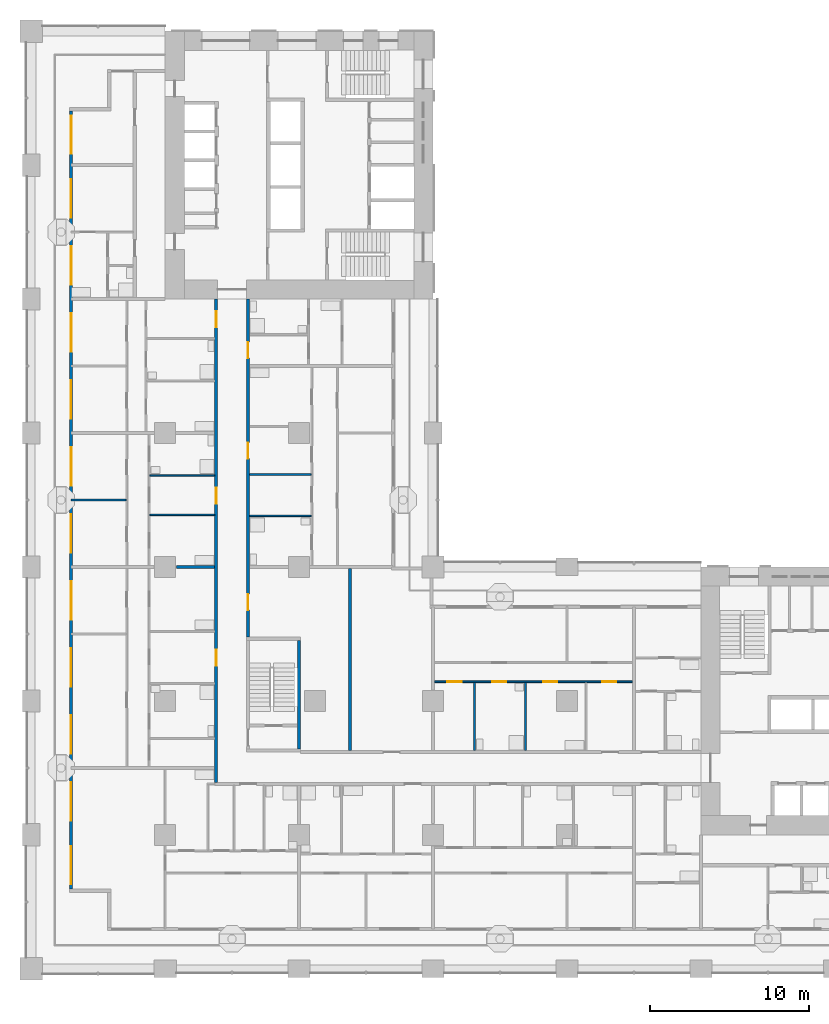
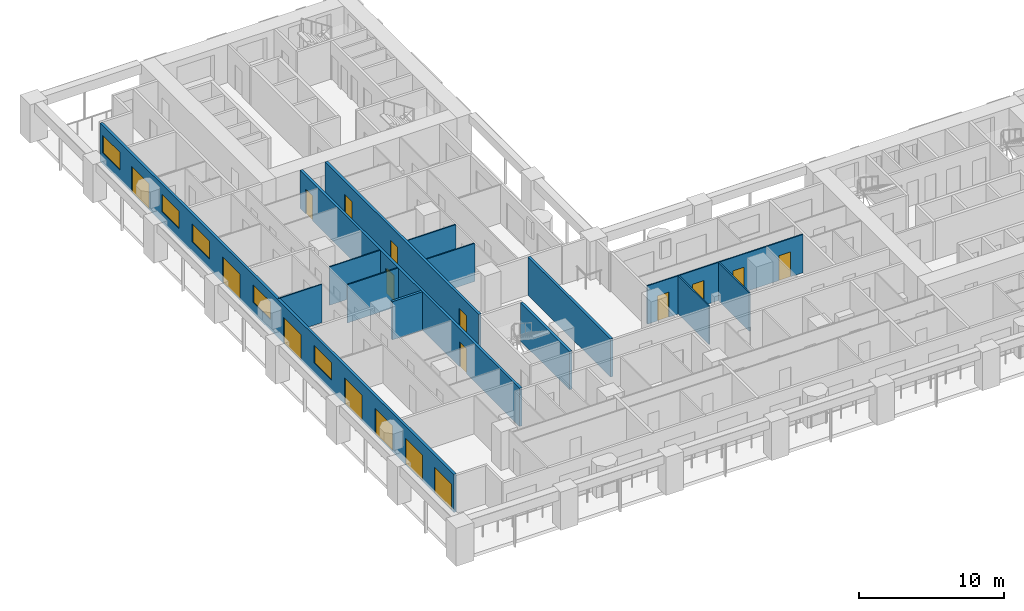
# One storey, part 4 of 22: 17 doors, 14 walls, 5 windows, 22 openings.
"""IFC4 building model written with IfcOpenShell, lengths in metres."""

from ifc_helpers import new_model, si_unit, direction, frame, frame_2d, origin, place, context, subcontext, project, spatial, rectangle, extrude, material, layer, layer_set, type_object, element, fill, save


model = new_model("IFC4")

# Units and contexts
model_context = context("Model", 3, precision=1e-05, world=origin(), true_north=direction((0.0, 1.0)))
body_context = subcontext(model_context, "Body", "Model", "MODEL_VIEW")
ifc_project = project(units=[si_unit("LENGTHUNIT", "METRE"), si_unit("AREAUNIT", "SQUARE_METRE"), si_unit("VOLUMEUNIT", "CUBIC_METRE"), si_unit("PLANEANGLEUNIT", "RADIAN"), si_unit("MASSUNIT", "GRAM", prefix="KILO")], contexts=[model_context])

# Site, building, storey
site_placement = place(None, origin())
site = spatial("IfcSite", under=ifc_project, at=site_placement, CompositionType="ELEMENT")
building_placement = place(site_placement, origin())
building = spatial("IfcBuilding", under=site, at=building_placement, Name="Vermilion Gate Residences", CompositionType="ELEMENT")
storey_placement = place(building_placement, frame((0.0, 0.0, 63.699951171875)))
storey = spatial("IfcBuildingStorey", under=building, at=storey_placement, Name="L15", CompositionType="ELEMENT", Elevation=63.699951171875)

# Wall, openings, doors, windows
ifc_material_1 = material(Name="Insulated steel stud wall with terracotta rainscreen", Category="masonry")
ifc_layer_1 = layer(ifc_material_1, 0.199951171875)
ifc_layer_set_1 = layer_set([ifc_layer_1], Name="EXTERNAL WALL 200 TERRACOTTA RAINSCREEN")
wall_type_1 = type_object("IfcWallType", Name="EXTERNAL WALL 200 TERRACOTTA RAINSCREEN", PredefinedType="SOLIDWALL", material=ifc_layer_set_1)
wall_1_placement = place(storey_placement, frame((2.5, 53.800048828125, 0.0), z_axis=(0.0, 0.0, 1.0), x_axis=(0.0, -1.0, 0.0)))
wall_1 = element("IfcWall", 1, at=wall_1_placement, inside=storey, type_object=wall_type_1, Name="External wall", PredefinedType="SOLIDWALL", context=body_context, shape_type="SweptSolid", body=[
    extrude(rectangle(XDim=48.800048828125, YDim=0.199951171875, at=frame_2d((24.39990234375, 0.0))), origin(), (0.0, 0.0, 1.0), 3.219970703125),
])
opening_1_placement = place(wall_1_placement, frame((46.10009765625, 0.0, 0.0)))
opening_1 = element("IfcOpeningElement", 2, at=opening_1_placement, cuts=wall_1, Name="Opening DE15002", PredefinedType="OPENING", context=body_context, shape_type="SweptSolid", body=[
    extrude(rectangle(XDim=2.39990234375, YDim=2.199951171875, at=frame_2d((1.199951171875, 1.10009765625))), frame((0.0, 0.10986328125, 0.0), z_axis=(0.0, -1.0, 0.0), x_axis=(1.0, 0.0, 0.0)), (0.0, 0.0, 1.0), 0.219970703125),
])
opening_2_placement = place(wall_1_placement, frame((42.10009765625, 0.0, 0.0)))
opening_2 = element("IfcOpeningElement", 3, at=opening_2_placement, cuts=wall_1, Name="Opening DE15003", PredefinedType="OPENING", context=body_context, shape_type="SweptSolid", body=[
    extrude(rectangle(XDim=2.39990234375, YDim=2.199951171875, at=frame_2d((1.199951171875, 1.10009765625))), frame((0.0, 0.10986328125, 0.0), z_axis=(0.0, -1.0, 0.0), x_axis=(1.0, 0.0, 0.0)), (0.0, 0.0, 1.0), 0.219970703125),
])
opening_3_placement = place(wall_1_placement, frame((37.89990234375, 0.0, 0.0)))
opening_3 = element("IfcOpeningElement", 4, at=opening_3_placement, cuts=wall_1, Name="Opening DE15004", PredefinedType="OPENING", context=body_context, shape_type="SweptSolid", body=[
    extrude(rectangle(XDim=2.39990234375, YDim=2.199951171875, at=frame_2d((1.199951171875, 1.10009765625))), frame((0.0, 0.10986328125, 0.0), z_axis=(0.0, -1.0, 0.0), x_axis=(1.0, 0.0, 0.0)), (0.0, 0.0, 1.0), 0.219970703125),
])
opening_4_placement = place(wall_1_placement, frame((33.699951171875, 0.0, 0.0)))
opening_4 = element("IfcOpeningElement", 5, at=opening_4_placement, cuts=wall_1, Name="Opening DE15005", PredefinedType="OPENING", context=body_context, shape_type="SweptSolid", body=[
    extrude(rectangle(XDim=2.39990234375, YDim=2.199951171875, at=frame_2d((1.199951171875, 1.10009765625))), frame((0.0, 0.10986328125, 0.0), z_axis=(0.0, -1.0, 0.0), x_axis=(1.0, 0.0, 0.0)), (0.0, 0.0, 1.0), 0.219970703125),
])
opening_5_placement = place(wall_1_placement, frame((29.5, 0.0, 0.89990234375)))
opening_5 = element("IfcOpeningElement", 6, at=opening_5_placement, cuts=wall_1, Name="Opening WE15006", PredefinedType="OPENING", context=body_context, shape_type="SweptSolid", body=[
    extrude(rectangle(XDim=2.39990234375, YDim=1.5, at=frame_2d((1.199951171875, 0.75))), frame((0.0, 0.10986328125, 0.0), z_axis=(0.0, -1.0, 0.0), x_axis=(1.0, 0.0, 0.0)), (0.0, 0.0, 1.0), 0.219970703125),
])
opening_6_placement = place(wall_1_placement, frame((25.300048828125, 0.0, 0.0)))
opening_6 = element("IfcOpeningElement", 7, at=opening_6_placement, cuts=wall_1, Name="Opening DE15007", PredefinedType="OPENING", context=body_context, shape_type="SweptSolid", body=[
    extrude(rectangle(XDim=2.39990234375, YDim=2.199951171875, at=frame_2d((1.199951171875, 1.10009765625))), frame((0.0, 0.10986328125, 0.0), z_axis=(0.0, -1.0, 0.0), x_axis=(1.0, 0.0, 0.0)), (0.0, 0.0, 1.0), 0.219970703125),
])
opening_7_placement = place(wall_1_placement, frame((21.10009765625, 0.0, 0.89990234375)))
opening_7 = element("IfcOpeningElement", 8, at=opening_7_placement, cuts=wall_1, Name="Opening WE15008", PredefinedType="OPENING", context=body_context, shape_type="SweptSolid", body=[
    extrude(rectangle(XDim=2.39990234375, YDim=1.5, at=frame_2d((1.199951171875, 0.75))), frame((0.0, 0.10986328125, 0.0), z_axis=(0.0, -1.0, 0.0), x_axis=(1.0, 0.0, 0.0)), (0.0, 0.0, 1.0), 0.219970703125),
])
opening_8_placement = place(wall_1_placement, frame((16.89990234375, 0.0, 0.0)))
opening_8 = element("IfcOpeningElement", 9, at=opening_8_placement, cuts=wall_1, Name="Opening DE15009", PredefinedType="OPENING", context=body_context, shape_type="SweptSolid", body=[
    extrude(rectangle(XDim=2.39990234375, YDim=2.199951171875, at=frame_2d((1.199951171875, 1.10009765625))), frame((0.0, 0.10986328125, 0.0), z_axis=(0.0, -1.0, 0.0), x_axis=(1.0, 0.0, 0.0)), (0.0, 0.0, 1.0), 0.219970703125),
])
opening_9_placement = place(wall_1_placement, frame((12.699951171875, 0.0, 0.89990234375)))
opening_9 = element("IfcOpeningElement", 10, at=opening_9_placement, cuts=wall_1, Name="Opening WE15010", PredefinedType="OPENING", context=body_context, shape_type="SweptSolid", body=[
    extrude(rectangle(XDim=2.39990234375, YDim=1.5, at=frame_2d((1.199951171875, 0.75))), frame((0.0, 0.10986328125, 0.0), z_axis=(0.0, -1.0, 0.0), x_axis=(1.0, 0.0, 0.0)), (0.0, 0.0, 1.0), 0.219970703125),
])
opening_10_placement = place(wall_1_placement, frame((8.5, 0.0, 0.89990234375)))
opening_10 = element("IfcOpeningElement", 11, at=opening_10_placement, cuts=wall_1, Name="Opening WE15011", PredefinedType="OPENING", context=body_context, shape_type="SweptSolid", body=[
    extrude(rectangle(XDim=2.39990234375, YDim=1.5, at=frame_2d((1.199951171875, 0.75))), frame((0.0, 0.10986328125, 0.0), z_axis=(0.0, -1.0, 0.0), x_axis=(1.0, 0.0, 0.0)), (0.0, 0.0, 1.0), 0.219970703125),
])
opening_11_placement = place(wall_1_placement, frame((4.300048828125, 0.0, 0.0)))
opening_11 = element("IfcOpeningElement", 12, at=opening_11_placement, cuts=wall_1, Name="Opening DE15012", PredefinedType="OPENING", context=body_context, shape_type="SweptSolid", body=[
    extrude(rectangle(XDim=2.39990234375, YDim=2.199951171875, at=frame_2d((1.199951171875, 1.10009765625))), frame((0.0, 0.10986328125, 0.0), z_axis=(0.0, -1.0, 0.0), x_axis=(1.0, 0.0, 0.0)), (0.0, 0.0, 1.0), 0.219970703125),
])
opening_12_placement = place(wall_1_placement, frame((0.300048828125, 0.0, 0.89990234375)))
opening_12 = element("IfcOpeningElement", 13, at=opening_12_placement, cuts=wall_1, Name="Opening WE15013", PredefinedType="OPENING", context=body_context, shape_type="SweptSolid", body=[
    extrude(rectangle(XDim=2.39990234375, YDim=1.5, at=frame_2d((1.199951171875, 0.75))), frame((0.0, 0.10986328125, 0.0), z_axis=(0.0, -1.0, 0.0), x_axis=(1.0, 0.0, 0.0)), (0.0, 0.0, 1.0), 0.219970703125),
])
ifc_material_2 = material(Name="Aluminium and clear glass", Category="aluminium")
door_type_1 = type_object("IfcDoorType", Name="SLIDING GLAZED DOOR 2400 X 2200", OperationType="DOUBLE_DOOR_SLIDING", PredefinedType="DOOR", material=ifc_material_2)
door_1_placement = place(opening_1_placement, origin())
door_1 = element("IfcDoor", 14, at=door_1_placement, inside=storey, type_object=door_type_1, Name="Loggia sliding door", OperationType="DOUBLE_DOOR_SLIDING", OverallHeight=2.199951171875, OverallWidth=2.39990234375, PredefinedType="DOOR", context=body_context, shape_type="SweptSolid", body=[
    extrude(rectangle(XDim=2.39990234375, YDim=2.199951171875, at=frame_2d((1.199951171875, 1.10009765625))), frame((0.0, 0.02490234375, 0.0), z_axis=(0.0, -1.0, 0.0), x_axis=(1.0, 0.0, 0.0)), (0.0, 0.0, 1.0), 0.050048828125),
])
fill(opening_1, door_1)
door_2_placement = place(opening_2_placement, origin())
door_2 = element("IfcDoor", 15, at=door_2_placement, inside=storey, type_object=door_type_1, Name="Loggia sliding door", OperationType="DOUBLE_DOOR_SLIDING", OverallHeight=2.199951171875, OverallWidth=2.39990234375, PredefinedType="DOOR", context=body_context, shape_type="SweptSolid", body=[
    extrude(rectangle(XDim=2.39990234375, YDim=2.199951171875, at=frame_2d((1.199951171875, 1.10009765625))), frame((0.0, 0.02490234375, 0.0), z_axis=(0.0, -1.0, 0.0), x_axis=(1.0, 0.0, 0.0)), (0.0, 0.0, 1.0), 0.050048828125),
])
fill(opening_2, door_2)
door_3_placement = place(opening_3_placement, origin())
door_3 = element("IfcDoor", 16, at=door_3_placement, inside=storey, type_object=door_type_1, Name="Loggia sliding door", OperationType="DOUBLE_DOOR_SLIDING", OverallHeight=2.199951171875, OverallWidth=2.39990234375, PredefinedType="DOOR", context=body_context, shape_type="SweptSolid", body=[
    extrude(rectangle(XDim=2.39990234375, YDim=2.199951171875, at=frame_2d((1.199951171875, 1.10009765625))), frame((0.0, 0.02490234375, 0.0), z_axis=(0.0, -1.0, 0.0), x_axis=(1.0, 0.0, 0.0)), (0.0, 0.0, 1.0), 0.050048828125),
])
fill(opening_3, door_3)
door_4_placement = place(opening_4_placement, origin())
door_4 = element("IfcDoor", 17, at=door_4_placement, inside=storey, type_object=door_type_1, Name="Loggia sliding door", OperationType="DOUBLE_DOOR_SLIDING", OverallHeight=2.199951171875, OverallWidth=2.39990234375, PredefinedType="DOOR", context=body_context, shape_type="SweptSolid", body=[
    extrude(rectangle(XDim=2.39990234375, YDim=2.199951171875, at=frame_2d((1.199951171875, 1.10009765625))), frame((0.0, 0.02490234375, 0.0), z_axis=(0.0, -1.0, 0.0), x_axis=(1.0, 0.0, 0.0)), (0.0, 0.0, 1.0), 0.050048828125),
])
fill(opening_4, door_4)
door_5_placement = place(opening_6_placement, origin())
door_5 = element("IfcDoor", 18, at=door_5_placement, inside=storey, type_object=door_type_1, Name="Loggia sliding door", OperationType="DOUBLE_DOOR_SLIDING", OverallHeight=2.199951171875, OverallWidth=2.39990234375, PredefinedType="DOOR", context=body_context, shape_type="SweptSolid", body=[
    extrude(rectangle(XDim=2.39990234375, YDim=2.199951171875, at=frame_2d((1.199951171875, 1.10009765625))), frame((0.0, 0.02490234375, 0.0), z_axis=(0.0, -1.0, 0.0), x_axis=(1.0, 0.0, 0.0)), (0.0, 0.0, 1.0), 0.050048828125),
])
fill(opening_6, door_5)
door_6_placement = place(opening_8_placement, origin())
door_6 = element("IfcDoor", 19, at=door_6_placement, inside=storey, type_object=door_type_1, Name="Loggia sliding door", OperationType="DOUBLE_DOOR_SLIDING", OverallHeight=2.199951171875, OverallWidth=2.39990234375, PredefinedType="DOOR", context=body_context, shape_type="SweptSolid", body=[
    extrude(rectangle(XDim=2.39990234375, YDim=2.199951171875, at=frame_2d((1.199951171875, 1.10009765625))), frame((0.0, 0.02490234375, 0.0), z_axis=(0.0, -1.0, 0.0), x_axis=(1.0, 0.0, 0.0)), (0.0, 0.0, 1.0), 0.050048828125),
])
fill(opening_8, door_6)
door_7_placement = place(opening_11_placement, origin())
door_7 = element("IfcDoor", 20, at=door_7_placement, inside=storey, type_object=door_type_1, Name="Loggia sliding door", OperationType="DOUBLE_DOOR_SLIDING", OverallHeight=2.199951171875, OverallWidth=2.39990234375, PredefinedType="DOOR", context=body_context, shape_type="SweptSolid", body=[
    extrude(rectangle(XDim=2.39990234375, YDim=2.199951171875, at=frame_2d((1.199951171875, 1.10009765625))), frame((0.0, 0.02490234375, 0.0), z_axis=(0.0, -1.0, 0.0), x_axis=(1.0, 0.0, 0.0)), (0.0, 0.0, 1.0), 0.050048828125),
])
fill(opening_11, door_7)
ifc_material_3 = material(Name="Aluminium and clear glass", Category="aluminium")
window_type = type_object("IfcWindowType", Name="WINDOW 2400 X 1500", PartitioningType="SINGLE_PANEL", PredefinedType="WINDOW", material=ifc_material_3)
window_1_placement = place(opening_5_placement, origin())
window_1 = element("IfcWindow", 21, at=window_1_placement, inside=storey, type_object=window_type, Name="Window", OverallHeight=1.5, OverallWidth=2.39990234375, PartitioningType="SINGLE_PANEL", PredefinedType="WINDOW", context=body_context, shape_type="SweptSolid", body=[
    extrude(rectangle(XDim=2.39990234375, YDim=1.5, at=frame_2d((1.199951171875, 0.75))), frame((0.0, 0.030029296875, 0.0), z_axis=(0.0, -1.0, 0.0), x_axis=(1.0, 0.0, 0.0)), (0.0, 0.0, 1.0), 0.06005859375),
])
fill(opening_5, window_1)
window_2_placement = place(opening_7_placement, origin())
window_2 = element("IfcWindow", 22, at=window_2_placement, inside=storey, type_object=window_type, Name="Window", OverallHeight=1.5, OverallWidth=2.39990234375, PartitioningType="SINGLE_PANEL", PredefinedType="WINDOW", context=body_context, shape_type="SweptSolid", body=[
    extrude(rectangle(XDim=2.39990234375, YDim=1.5, at=frame_2d((1.199951171875, 0.75))), frame((0.0, 0.030029296875, 0.0), z_axis=(0.0, -1.0, 0.0), x_axis=(1.0, 0.0, 0.0)), (0.0, 0.0, 1.0), 0.06005859375),
])
fill(opening_7, window_2)
window_3_placement = place(opening_9_placement, origin())
window_3 = element("IfcWindow", 23, at=window_3_placement, inside=storey, type_object=window_type, Name="Window", OverallHeight=1.5, OverallWidth=2.39990234375, PartitioningType="SINGLE_PANEL", PredefinedType="WINDOW", context=body_context, shape_type="SweptSolid", body=[
    extrude(rectangle(XDim=2.39990234375, YDim=1.5, at=frame_2d((1.199951171875, 0.75))), frame((0.0, 0.030029296875, 0.0), z_axis=(0.0, -1.0, 0.0), x_axis=(1.0, 0.0, 0.0)), (0.0, 0.0, 1.0), 0.06005859375),
])
fill(opening_9, window_3)
window_4_placement = place(opening_10_placement, origin())
window_4 = element("IfcWindow", 24, at=window_4_placement, inside=storey, type_object=window_type, Name="Window", OverallHeight=1.5, OverallWidth=2.39990234375, PartitioningType="SINGLE_PANEL", PredefinedType="WINDOW", context=body_context, shape_type="SweptSolid", body=[
    extrude(rectangle(XDim=2.39990234375, YDim=1.5, at=frame_2d((1.199951171875, 0.75))), frame((0.0, 0.030029296875, 0.0), z_axis=(0.0, -1.0, 0.0), x_axis=(1.0, 0.0, 0.0)), (0.0, 0.0, 1.0), 0.06005859375),
])
fill(opening_10, window_4)
window_5_placement = place(opening_12_placement, origin())
window_5 = element("IfcWindow", 25, at=window_5_placement, inside=storey, type_object=window_type, Name="Window", OverallHeight=1.5, OverallWidth=2.39990234375, PartitioningType="SINGLE_PANEL", PredefinedType="WINDOW", context=body_context, shape_type="SweptSolid", body=[
    extrude(rectangle(XDim=2.39990234375, YDim=1.5, at=frame_2d((1.199951171875, 0.75))), frame((0.0, 0.030029296875, 0.0), z_axis=(0.0, -1.0, 0.0), x_axis=(1.0, 0.0, 0.0)), (0.0, 0.0, 1.0), 0.06005859375),
])
fill(opening_12, window_5)

# Wall, openings, doors
ifc_material_4 = material(Name="Plasterboard on steel studs", Category="steel")
ifc_layer_2 = layer(ifc_material_4, 0.10009765625)
ifc_layer_set_2 = layer_set([ifc_layer_2], Name="PARTITION 100")
wall_type_2 = type_object("IfcWallType", Name="PARTITION 100", PredefinedType="PARTITIONING", material=ifc_layer_set_2)
wall_2_placement = place(storey_placement, frame((25.300048828125, 18.0, 0.0), z_axis=(0.0, 0.0, 1.0), x_axis=(1.0, 0.0, 0.0)))
wall_2 = element("IfcWall", 26, at=wall_2_placement, inside=storey, type_object=wall_type_2, Name="Partition", PredefinedType="PARTITIONING", context=body_context, shape_type="SweptSolid", body=[
    extrude(rectangle(XDim=12.39990234375, YDim=0.10009765625, at=frame_2d((6.199951171875, 0.0))), origin(), (0.0, 0.0, 1.0), 3.219970703125),
])
opening_13_placement = place(wall_2_placement, frame((10.5, 0.0, 0.0)))
opening_13 = element("IfcOpeningElement", 27, at=opening_13_placement, cuts=wall_2, Name="Opening DA13037", PredefinedType="OPENING", context=body_context, shape_type="SweptSolid", body=[
    extrude(rectangle(XDim=0.89990234375, YDim=2.10009765625, at=frame_2d((0.449951171875, 1.050048828125))), frame((0.0, 0.06005859375, 0.0), z_axis=(0.0, -1.0, 0.0), x_axis=(1.0, 0.0, 0.0)), (0.0, 0.0, 1.0), 0.1201171875),
])
opening_14_placement = place(wall_2_placement, frame((0.800048828125, 0.0, 0.0)))
opening_14 = element("IfcOpeningElement", 28, at=opening_14_placement, cuts=wall_2, Name="Opening DA13038", PredefinedType="OPENING", context=body_context, shape_type="SweptSolid", body=[
    extrude(rectangle(XDim=0.89990234375, YDim=2.10009765625, at=frame_2d((0.449951171875, 1.050048828125))), frame((0.0, 0.06005859375, 0.0), z_axis=(0.0, -1.0, 0.0), x_axis=(1.0, 0.0, 0.0)), (0.0, 0.0, 1.0), 0.1201171875),
])
opening_15_placement = place(wall_2_placement, frame((3.60009765625, 0.0, 0.0)))
opening_15 = element("IfcOpeningElement", 29, at=opening_15_placement, cuts=wall_2, Name="Opening DA13039", PredefinedType="OPENING", context=body_context, shape_type="SweptSolid", body=[
    extrude(rectangle(XDim=0.89990234375, YDim=2.10009765625, at=frame_2d((0.449951171875, 1.050048828125))), frame((0.0, 0.06005859375, 0.0), z_axis=(0.0, -1.0, 0.0), x_axis=(1.0, 0.0, 0.0)), (0.0, 0.0, 1.0), 0.1201171875),
])
opening_16_placement = place(wall_2_placement, frame((6.800048828125, 0.0, 0.0)))
opening_16 = element("IfcOpeningElement", 30, at=opening_16_placement, cuts=wall_2, Name="Opening DA13040", PredefinedType="OPENING", context=body_context, shape_type="SweptSolid", body=[
    extrude(rectangle(XDim=0.89990234375, YDim=2.10009765625, at=frame_2d((0.449951171875, 1.050048828125))), frame((0.0, 0.06005859375, 0.0), z_axis=(0.0, -1.0, 0.0), x_axis=(1.0, 0.0, 0.0)), (0.0, 0.0, 1.0), 0.1201171875),
])
ifc_material_5 = material(Name="Timber", Category="wood")
door_type_2 = type_object("IfcDoorType", Name="INTERIOR DOOR 900 X 2100", OperationType="SINGLE_SWING_LEFT", PredefinedType="DOOR", material=ifc_material_5)
door_8_placement = place(opening_13_placement, frame((0.89990234375, 0.0, 0.0), z_axis=(0.0, 0.0, 1.0), x_axis=(-1.0, 0.0, 0.0)))
door_8 = element("IfcDoor", 31, at=door_8_placement, inside=storey, type_object=door_type_2, Name="Interior door", OperationType="SINGLE_SWING_RIGHT", OverallHeight=2.10009765625, OverallWidth=0.89990234375, PredefinedType="DOOR", context=body_context, shape_type="SweptSolid", body=[
    extrude(rectangle(XDim=0.89990234375, YDim=2.10009765625, at=frame_2d((0.449951171875, 1.050048828125))), frame((0.0, 0.02490234375, 0.0), z_axis=(0.0, -1.0, 0.0), x_axis=(1.0, 0.0, 0.0)), (0.0, 0.0, 1.0), 0.050048828125),
])
fill(opening_13, door_8)
door_9_placement = place(opening_14_placement, frame((0.89990234375, 0.0, 0.0), z_axis=(0.0, 0.0, 1.0), x_axis=(-1.0, 0.0, 0.0)))
door_9 = element("IfcDoor", 32, at=door_9_placement, inside=storey, type_object=door_type_2, Name="Interior door", OperationType="SINGLE_SWING_LEFT", OverallHeight=2.10009765625, OverallWidth=0.89990234375, PredefinedType="DOOR", context=body_context, shape_type="SweptSolid", body=[
    extrude(rectangle(XDim=0.89990234375, YDim=2.10009765625, at=frame_2d((0.449951171875, 1.050048828125))), frame((0.0, 0.02490234375, 0.0), z_axis=(0.0, -1.0, 0.0), x_axis=(1.0, 0.0, 0.0)), (0.0, 0.0, 1.0), 0.050048828125),
])
fill(opening_14, door_9)
door_10_placement = place(opening_15_placement, frame((0.89990234375, 0.0, 0.0), z_axis=(0.0, 0.0, 1.0), x_axis=(-1.0, 0.0, 0.0)))
door_10 = element("IfcDoor", 33, at=door_10_placement, inside=storey, type_object=door_type_2, Name="Interior door", OperationType="SINGLE_SWING_LEFT", OverallHeight=2.10009765625, OverallWidth=0.89990234375, PredefinedType="DOOR", context=body_context, shape_type="SweptSolid", body=[
    extrude(rectangle(XDim=0.89990234375, YDim=2.10009765625, at=frame_2d((0.449951171875, 1.050048828125))), frame((0.0, 0.02490234375, 0.0), z_axis=(0.0, -1.0, 0.0), x_axis=(1.0, 0.0, 0.0)), (0.0, 0.0, 1.0), 0.050048828125),
])
fill(opening_15, door_10)
door_11_placement = place(opening_16_placement, frame((0.89990234375, 0.0, 0.0), z_axis=(0.0, 0.0, 1.0), x_axis=(-1.0, 0.0, 0.0)))
door_11 = element("IfcDoor", 34, at=door_11_placement, inside=storey, type_object=door_type_2, Name="Interior door", OperationType="SINGLE_SWING_RIGHT", OverallHeight=2.10009765625, OverallWidth=0.89990234375, PredefinedType="DOOR", context=body_context, shape_type="SweptSolid", body=[
    extrude(rectangle(XDim=0.89990234375, YDim=2.10009765625, at=frame_2d((0.449951171875, 1.050048828125))), frame((0.0, 0.02490234375, 0.0), z_axis=(0.0, -1.0, 0.0), x_axis=(1.0, 0.0, 0.0)), (0.0, 0.0, 1.0), 0.050048828125),
])
fill(opening_16, door_11)

# Walls
wall_3_placement = place(storey_placement, frame((13.699951171875, 28.39990234375, 0.0), z_axis=(0.0, 0.0, 1.0), x_axis=(1.0, 0.0, 0.0)))
element("IfcWall", 35, at=wall_3_placement, inside=storey, type_object=wall_type_2, Name="Partition", PredefinedType="PARTITIONING", context=body_context, shape_type="SweptSolid", body=[
    extrude(rectangle(XDim=3.85009765625, YDim=0.10009765625, at=frame_2d((1.925048828125, 0.0))), origin(), (0.0, 0.0, 1.0), 3.219970703125),
])
wall_4_placement = place(storey_placement, frame((7.449951171875, 28.467041015625, 0.0), z_axis=(0.0, 0.0, 1.0), x_axis=(1.0, 0.0, 0.0)))
element("IfcWall", 36, at=wall_4_placement, inside=storey, type_object=wall_type_2, Name="Partition", PredefinedType="PARTITIONING", context=body_context, shape_type="SweptSolid", body=[
    extrude(rectangle(XDim=4.050048828125, YDim=0.10009765625, at=frame_2d((2.02490234375, 0.0))), origin(), (0.0, 0.0, 1.0), 3.219970703125),
])
wall_5_placement = place(storey_placement, frame((2.5, 29.39990234375, 0.0), z_axis=(0.0, 0.0, 1.0), x_axis=(1.0, 0.0, 0.0)))
element("IfcWall", 37, at=wall_5_placement, inside=storey, type_object=wall_type_2, Name="Partition", PredefinedType="PARTITIONING", context=body_context, shape_type="SweptSolid", body=[
    extrude(rectangle(XDim=3.449951171875, YDim=0.10009765625, at=frame_2d((1.72509765625, 0.0))), origin(), (0.0, 0.0, 1.0), 3.219970703125),
])
wall_6_placement = place(storey_placement, frame((7.449951171875, 30.93310546875, 0.0), z_axis=(0.0, 0.0, 1.0), x_axis=(1.0, 0.0, 0.0)))
element("IfcWall", 38, at=wall_6_placement, inside=storey, type_object=wall_type_2, Name="Partition", PredefinedType="PARTITIONING", context=body_context, shape_type="SweptSolid", body=[
    extrude(rectangle(XDim=4.050048828125, YDim=0.10009765625, at=frame_2d((2.02490234375, 0.0))), origin(), (0.0, 0.0, 1.0), 3.219970703125),
])
wall_7_placement = place(storey_placement, frame((13.699951171875, 31.0, 0.0), z_axis=(0.0, 0.0, 1.0), x_axis=(1.0, 0.0, 0.0)))
element("IfcWall", 39, at=wall_7_placement, inside=storey, type_object=wall_type_2, Name="Partition", PredefinedType="PARTITIONING", context=body_context, shape_type="SweptSolid", body=[
    extrude(rectangle(XDim=3.85009765625, YDim=0.10009765625, at=frame_2d((1.925048828125, 0.0))), origin(), (0.0, 0.0, 1.0), 3.219970703125),
])
for number, where, z_axis, x_axis, name in (
    (40, (27.800048828125, 13.699951171875, 0.0), (0.0, 0.0, 1.0), (0.0, 1.0, 0.0), "Partition"),
    (41, (31.0, 13.699951171875, 0.0), (0.0, 0.0, 1.0), (0.0, 1.0, 0.0), "Partition"),
):
    element("IfcWall", number, at=place(storey_placement, frame(where, z_axis=z_axis, x_axis=x_axis)), inside=storey, type_object=wall_type_2, Name=name, PredefinedType="PARTITIONING", context=body_context, shape_type="SweptSolid", body=[
        extrude(rectangle(XDim=4.25, YDim=0.10009765625, at=frame_2d((2.125, 0.0))), origin(), (0.0, 0.0, 1.0), 3.219970703125),
    ])
ifc_material_6 = material(Name="Fire-rated plasterboard on steel studs", Category="steel")
ifc_layer_3 = layer(ifc_material_6, 0.199951171875)
ifc_layer_set_3 = layer_set([ifc_layer_3], Name="PARTY WALL 200 EI 120")
wall_type_3 = type_object("IfcWallType", Name="PARTY WALL 200 EI 120", PredefinedType="PARTITIONING", material=ifc_layer_set_3)
wall_8_placement = place(storey_placement, frame((9.10009765625, 25.199951171875, 0.0), z_axis=(0.0, 0.0, 1.0), x_axis=(1.0, 0.0, 0.0)))
element("IfcWall", 42, at=wall_8_placement, inside=storey, type_object=wall_type_3, Name="Party and corridor wall", PredefinedType="PARTITIONING", context=body_context, shape_type="SweptSolid", body=[
    extrude(rectangle(XDim=2.39990234375, YDim=0.199951171875, at=frame_2d((1.199951171875, 0.0))), origin(), (0.0, 0.0, 1.0), 3.219970703125),
])

# Wall, openings, doors
wall_9_placement = place(storey_placement, frame((11.60009765625, 11.699951171875, 0.0), z_axis=(0.0, 0.0, 1.0), x_axis=(0.0, 1.0, 0.0)))
wall_9 = element("IfcWall", 43, at=wall_9_placement, inside=storey, type_object=wall_type_3, Name="Party and corridor wall", PredefinedType="PARTITIONING", context=body_context, shape_type="SweptSolid", body=[
    extrude(rectangle(XDim=30.300048828125, YDim=0.199951171875, at=frame_2d((15.14990234375, 0.0))), origin(), (0.0, 0.0, 1.0), 3.219970703125),
])
opening_17_placement = place(wall_9_placement, frame((7.300048828125, 0.0, 0.0)))
opening_17 = element("IfcOpeningElement", 44, at=opening_17_placement, cuts=wall_9, Name="Opening DA13066", PredefinedType="OPENING", context=body_context, shape_type="SweptSolid", body=[
    extrude(rectangle(XDim=1.0, YDim=2.10009765625, at=frame_2d((0.5, 1.050048828125))), frame((0.0, 0.10986328125, 0.0), z_axis=(0.0, -1.0, 0.0), x_axis=(1.0, 0.0, 0.0)), (0.0, 0.0, 1.0), 0.219970703125),
])
opening_18_placement = place(wall_9_placement, frame((17.467041015625, 0.0, 0.0)))
opening_18 = element("IfcOpeningElement", 45, at=opening_18_placement, cuts=wall_9, Name="Opening DA13067", PredefinedType="OPENING", context=body_context, shape_type="SweptSolid", body=[
    extrude(rectangle(XDim=1.0, YDim=2.10009765625, at=frame_2d((0.5, 1.050048828125))), frame((0.0, 0.10986328125, 0.0), z_axis=(0.0, -1.0, 0.0), x_axis=(1.0, 0.0, 0.0)), (0.0, 0.0, 1.0), 0.219970703125),
])
opening_19_placement = place(wall_9_placement, frame((28.532958984375, 0.0, 0.0)))
opening_19 = element("IfcOpeningElement", 46, at=opening_19_placement, cuts=wall_9, Name="Opening DA13068", PredefinedType="OPENING", context=body_context, shape_type="SweptSolid", body=[
    extrude(rectangle(XDim=1.0, YDim=2.10009765625, at=frame_2d((0.5, 1.050048828125))), frame((0.0, 0.10986328125, 0.0), z_axis=(0.0, -1.0, 0.0), x_axis=(1.0, 0.0, 0.0)), (0.0, 0.0, 1.0), 0.219970703125),
])
ifc_material_7 = material(Name="Steel", Category="steel")
door_type_3 = type_object("IfcDoorType", Name="ENTRANCE DOOR 1000 X 2100 FD30", OperationType="SINGLE_SWING_LEFT", PredefinedType="DOOR", material=ifc_material_7)
door_12_placement = place(opening_17_placement, origin())
door_12 = element("IfcDoor", 47, at=door_12_placement, inside=storey, type_object=door_type_3, Name="Entrance door", OperationType="SINGLE_SWING_LEFT", OverallHeight=2.10009765625, OverallWidth=1.0, PredefinedType="DOOR", context=body_context, shape_type="SweptSolid", body=[
    extrude(rectangle(XDim=1.0, YDim=2.10009765625, at=frame_2d((0.5, 1.050048828125))), frame((0.0, 0.02490234375, 0.0), z_axis=(0.0, -1.0, 0.0), x_axis=(1.0, 0.0, 0.0)), (0.0, 0.0, 1.0), 0.050048828125),
])
fill(opening_17, door_12)
door_13_placement = place(opening_18_placement, origin())
door_13 = element("IfcDoor", 48, at=door_13_placement, inside=storey, type_object=door_type_3, Name="Entrance door", OperationType="SINGLE_SWING_LEFT", OverallHeight=2.10009765625, OverallWidth=1.0, PredefinedType="DOOR", context=body_context, shape_type="SweptSolid", body=[
    extrude(rectangle(XDim=1.0, YDim=2.10009765625, at=frame_2d((0.5, 1.050048828125))), frame((0.0, 0.02490234375, 0.0), z_axis=(0.0, -1.0, 0.0), x_axis=(1.0, 0.0, 0.0)), (0.0, 0.0, 1.0), 0.050048828125),
])
fill(opening_18, door_13)
door_14_placement = place(opening_19_placement, origin())
door_14 = element("IfcDoor", 49, at=door_14_placement, inside=storey, type_object=door_type_3, Name="Entrance door", OperationType="SINGLE_SWING_LEFT", OverallHeight=2.10009765625, OverallWidth=1.0, PredefinedType="DOOR", context=body_context, shape_type="SweptSolid", body=[
    extrude(rectangle(XDim=1.0, YDim=2.10009765625, at=frame_2d((0.5, 1.050048828125))), frame((0.0, 0.02490234375, 0.0), z_axis=(0.0, -1.0, 0.0), x_axis=(1.0, 0.0, 0.0)), (0.0, 0.0, 1.0), 0.050048828125),
])
fill(opening_19, door_14)

wall_10_placement = place(storey_placement, frame((13.60009765625, 20.800048828125, 0.0), z_axis=(0.0, 0.0, 1.0), x_axis=(0.0, 1.0, 0.0)))
wall_10 = element("IfcWall", 50, at=wall_10_placement, inside=storey, type_object=wall_type_3, Name="Party and corridor wall", PredefinedType="PARTITIONING", context=body_context, shape_type="SweptSolid", body=[
    extrude(rectangle(XDim=21.199951171875, YDim=0.199951171875, at=frame_2d((10.60009765625, 0.0))), origin(), (0.0, 0.0, 1.0), 3.219970703125),
])
opening_20_placement = place(wall_10_placement, frame((11.199951171875, 0.0, 0.0)))
opening_20 = element("IfcOpeningElement", 51, at=opening_20_placement, cuts=wall_10, Name="Opening DA13069", PredefinedType="OPENING", context=body_context, shape_type="SweptSolid", body=[
    extrude(rectangle(XDim=1.0, YDim=2.10009765625, at=frame_2d((0.5, 1.050048828125))), frame((0.0, 0.10986328125, 0.0), z_axis=(0.0, -1.0, 0.0), x_axis=(1.0, 0.0, 0.0)), (0.0, 0.0, 1.0), 0.219970703125),
])
opening_21_placement = place(wall_10_placement, frame((17.5, 0.0, 0.0)))
opening_21 = element("IfcOpeningElement", 52, at=opening_21_placement, cuts=wall_10, Name="Opening DA13070", PredefinedType="OPENING", context=body_context, shape_type="SweptSolid", body=[
    extrude(rectangle(XDim=1.0, YDim=2.10009765625, at=frame_2d((0.5, 1.050048828125))), frame((0.0, 0.10986328125, 0.0), z_axis=(0.0, -1.0, 0.0), x_axis=(1.0, 0.0, 0.0)), (0.0, 0.0, 1.0), 0.219970703125),
])
opening_22_placement = place(wall_10_placement, frame((1.699951171875, 0.0, 0.0)))
opening_22 = element("IfcOpeningElement", 53, at=opening_22_placement, cuts=wall_10, Name="Opening DA13071", PredefinedType="OPENING", context=body_context, shape_type="SweptSolid", body=[
    extrude(rectangle(XDim=1.0, YDim=2.10009765625, at=frame_2d((0.5, 1.050048828125))), frame((0.0, 0.10986328125, 0.0), z_axis=(0.0, -1.0, 0.0), x_axis=(1.0, 0.0, 0.0)), (0.0, 0.0, 1.0), 0.219970703125),
])
door_15_placement = place(opening_20_placement, frame((1.0, 0.0, 0.0), z_axis=(0.0, 0.0, 1.0), x_axis=(-1.0, 0.0, 0.0)))
door_15 = element("IfcDoor", 54, at=door_15_placement, inside=storey, type_object=door_type_3, Name="Entrance door", OperationType="SINGLE_SWING_RIGHT", OverallHeight=2.10009765625, OverallWidth=1.0, PredefinedType="DOOR", context=body_context, shape_type="SweptSolid", body=[
    extrude(rectangle(XDim=1.0, YDim=2.10009765625, at=frame_2d((0.5, 1.050048828125))), frame((0.0, 0.02490234375, 0.0), z_axis=(0.0, -1.0, 0.0), x_axis=(1.0, 0.0, 0.0)), (0.0, 0.0, 1.0), 0.050048828125),
])
fill(opening_20, door_15)
door_16_placement = place(opening_21_placement, frame((1.0, 0.0, 0.0), z_axis=(0.0, 0.0, 1.0), x_axis=(-1.0, 0.0, 0.0)))
door_16 = element("IfcDoor", 55, at=door_16_placement, inside=storey, type_object=door_type_3, Name="Entrance door", OperationType="SINGLE_SWING_RIGHT", OverallHeight=2.10009765625, OverallWidth=1.0, PredefinedType="DOOR", context=body_context, shape_type="SweptSolid", body=[
    extrude(rectangle(XDim=1.0, YDim=2.10009765625, at=frame_2d((0.5, 1.050048828125))), frame((0.0, 0.02490234375, 0.0), z_axis=(0.0, -1.0, 0.0), x_axis=(1.0, 0.0, 0.0)), (0.0, 0.0, 1.0), 0.050048828125),
])
fill(opening_21, door_16)
door_17_placement = place(opening_22_placement, frame((1.0, 0.0, 0.0), z_axis=(0.0, 0.0, 1.0), x_axis=(-1.0, 0.0, 0.0)))
door_17 = element("IfcDoor", 56, at=door_17_placement, inside=storey, type_object=door_type_3, Name="Entrance door", OperationType="SINGLE_SWING_LEFT", OverallHeight=2.10009765625, OverallWidth=1.0, PredefinedType="DOOR", context=body_context, shape_type="SweptSolid", body=[
    extrude(rectangle(XDim=1.0, YDim=2.10009765625, at=frame_2d((0.5, 1.050048828125))), frame((0.0, 0.02490234375, 0.0), z_axis=(0.0, -1.0, 0.0), x_axis=(1.0, 0.0, 0.0)), (0.0, 0.0, 1.0), 0.050048828125),
])
fill(opening_22, door_17)

# Walls
wall_11_placement = place(storey_placement, frame((20.0, 13.699951171875, 0.0), z_axis=(0.0, 0.0, 1.0), x_axis=(0.0, 1.0, 0.0)))
element("IfcWall", 57, at=wall_11_placement, inside=storey, type_object=wall_type_3, Name="Party and corridor wall", PredefinedType="PARTITIONING", context=body_context, shape_type="SweptSolid", body=[
    extrude(rectangle(XDim=11.400146484375, YDim=0.199951171875, at=frame_2d((5.7001953125, 0.0))), origin(), (0.0, 0.0, 1.0), 3.219970703125),
])
ifc_material_8 = material(Name="Concrete C60", Category="concrete")
ifc_layer_4 = layer(ifc_material_8, 0.199951171875)
ifc_layer_set_4 = layer_set([ifc_layer_4], Name="RC CORE INTERNAL WALL 200 C60")
wall_type_4 = type_object("IfcWallType", Name="RC CORE INTERNAL WALL 200 C60", PredefinedType="SHEAR", material=ifc_layer_set_4)
wall_12_placement = place(storey_placement, frame((16.800048828125, 13.800048828125, 0.0), z_axis=(0.0, 0.0, 1.0), x_axis=(0.0, 1.0, 0.0)))
element("IfcWall", 58, at=wall_12_placement, inside=storey, type_object=wall_type_4, Name="Core internal wall C15-E", PredefinedType="SHEAR", context=body_context, shape_type="SweptSolid", body=[
    extrude(rectangle(XDim=6.800048828125, YDim=0.199951171875, at=frame_2d((3.39990234375, 0.0))), origin(), (0.0, 0.0, 1.0), 3.219970703125),
])

save(model, "model.ifc")
